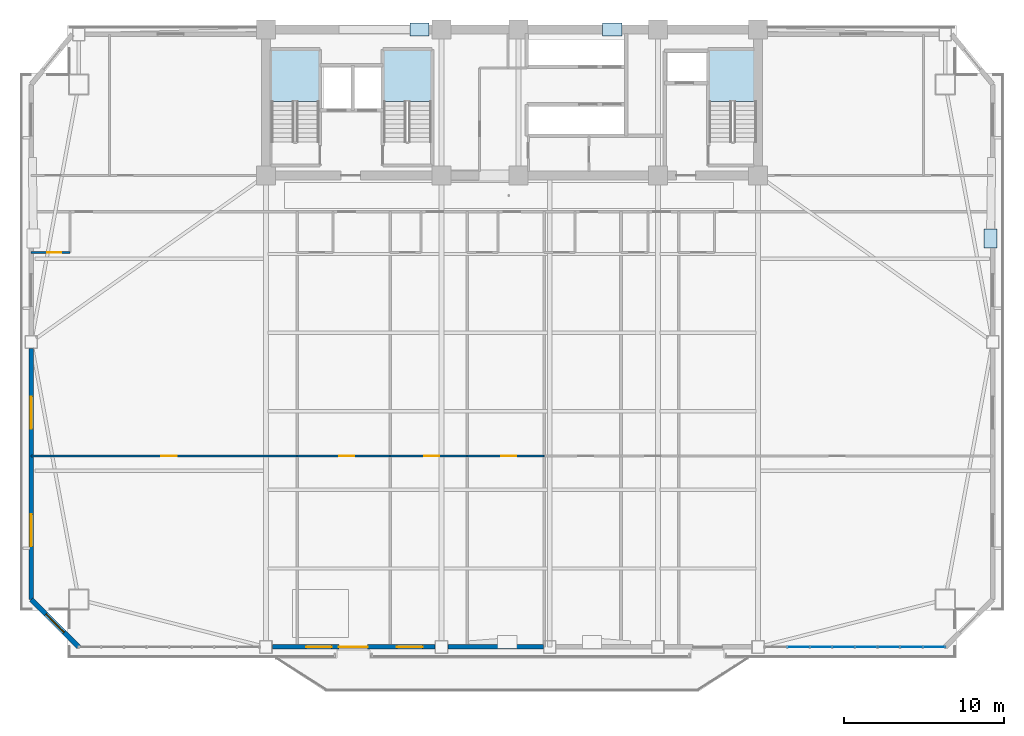
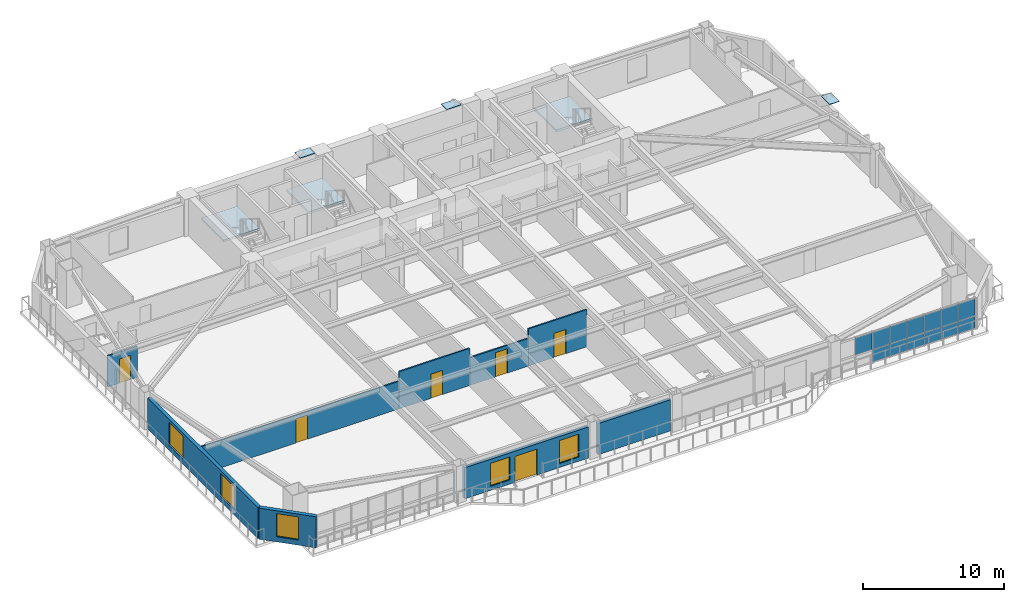
# One storey, part 7 of 17: 16 plates, 9 walls, 6 doors, 5 windows, 3 slabs, 11 openings, 4 elements without a shape of their own.
"""IFC4 building model written with IfcOpenShell, lengths in metres."""

from ifc_helpers import new_model, si_unit, direction, frame, frame_2d, origin, origin_2d, place, context, subcontext, project, spatial, polyline, rectangle, outline, extrude, source, transform, mapped, material, layer, layer_set, type_object, element, fill, aggregate, save


model = new_model("IFC4")

# Units and contexts
model_context = context("Model", 3, precision=1e-05, world=origin(), true_north=direction((0.0, 1.0)))
body_context = subcontext(model_context, "Body", "Model", "MODEL_VIEW")
ifc_project = project(units=[si_unit("LENGTHUNIT", "METRE"), si_unit("AREAUNIT", "SQUARE_METRE"), si_unit("VOLUMEUNIT", "CUBIC_METRE"), si_unit("PLANEANGLEUNIT", "RADIAN"), si_unit("MASSUNIT", "GRAM", prefix="KILO")], contexts=[model_context])

# Site, building, storey
site_placement = place(None, origin())
site = spatial("IfcSite", under=ifc_project, at=site_placement, CompositionType="ELEMENT")
building_placement = place(site_placement, origin())
building = spatial("IfcBuilding", under=site, at=building_placement, Name="Giltprow Tower", CompositionType="ELEMENT")
storey_placement = place(building_placement, frame((0.0, 0.0, 141.199951171875)))
storey = spatial("IfcBuildingStorey", under=building, at=storey_placement, Name="L34", CompositionType="ELEMENT", Elevation=141.199951171875)

# Stair, slab
ifc_material_1 = material(Name="Concrete C40", Category="concrete")
stair_type_1 = type_object("IfcStairType", Name="STR-ST-1", PredefinedType="HALF_TURN_STAIR", material=ifc_material_1)
stair_1_placement = place(storey_placement, origin())
stair_1 = element("IfcStair", 1, at=stair_1_placement, inside=storey, type_object=stair_type_1, Name="L34 Core Exit Stair ST-1", PredefinedType="HALF_TURN_STAIR")
ifc_layer_1 = layer(ifc_material_1, 0.179931640625, Name="Concrete C40")
ifc_layer_set_1 = layer_set([ifc_layer_1], Name="Concrete C40")
slab_type_1 = type_object("IfcSlabType", Name="SLD-ST-1", PredefinedType="LANDING", material=ifc_layer_set_1)
slab_1_placement = place(storey_placement, frame((0.0, 0.0, 1.570068359375)))
slab_1 = element("IfcSlab", 2, at=slab_1_placement, type_object=slab_type_1, Name="ST-1 landing 1", PredefinedType="LANDING", context=body_context, shape_type="SweptSolid", body=[
    extrude(outline(polyline([(23.159912109375, 42.070068359375), (23.159912109375, 45.25), (20.199951171875, 45.25), (20.199951171875, 42.070068359375), (23.159912109375, 42.070068359375)])), origin(), (0.0, 0.0, 1.0), 0.179931640625),
])
aggregate(stair_1, [slab_1])

stair_type_2 = type_object("IfcStairType", Name="STR-ST-2", PredefinedType="HALF_TURN_STAIR", material=ifc_material_1)
stair_2_placement = place(storey_placement, origin())
stair_2 = element("IfcStair", 3, at=stair_2_placement, inside=storey, type_object=stair_type_2, Name="L34 Core Exit Stair ST-2", PredefinedType="HALF_TURN_STAIR")
ifc_layer_2 = layer(ifc_material_1, 0.18798828125, Name="Concrete C40")
ifc_layer_set_2 = layer_set([ifc_layer_2], Name="Concrete C40")
slab_type_2 = type_object("IfcSlabType", Name="SLD-ST-2", PredefinedType="LANDING", material=ifc_layer_set_2)
slab_2_placement = place(storey_placement, frame((0.0, 0.0, 1.56201171875)))
slab_2 = element("IfcSlab", 4, at=slab_2_placement, type_object=slab_type_2, Name="ST-2 landing 1", PredefinedType="LANDING", context=body_context, shape_type="SweptSolid", body=[
    extrude(outline(polyline([(30.159912109375, 42.070068359375), (30.159912109375, 45.25), (27.199951171875, 45.25), (27.199951171875, 42.070068359375), (30.159912109375, 42.070068359375)])), origin(), (0.0, 0.0, 1.0), 0.18798828125),
])
aggregate(stair_2, [slab_2])

stair_type_3 = type_object("IfcStairType", Name="STR-ST-3", PredefinedType="HALF_TURN_STAIR", material=ifc_material_1)
stair_3_placement = place(storey_placement, origin())
stair_3 = element("IfcStair", 5, at=stair_3_placement, inside=storey, type_object=stair_type_3, Name="L34 Core Exit Stair ST-3", PredefinedType="HALF_TURN_STAIR")
ifc_layer_3 = layer(ifc_material_1, 0.196044921875, Name="Concrete C40")
ifc_layer_set_3 = layer_set([ifc_layer_3], Name="Concrete C40")
slab_type_3 = type_object("IfcSlabType", Name="SLD-ST-3", PredefinedType="LANDING", material=ifc_layer_set_3)
slab_3_placement = place(storey_placement, frame((0.0, 0.0, 1.553955078125)))
slab_3 = element("IfcSlab", 6, at=slab_3_placement, type_object=slab_type_3, Name="ST-3 landing 1", PredefinedType="LANDING", context=body_context, shape_type="SweptSolid", body=[
    extrude(outline(polyline([(50.4599609375, 42.070068359375), (50.4599609375, 45.25), (47.5, 45.25), (47.5, 42.070068359375), (50.4599609375, 42.070068359375)])), origin(), (0.0, 0.0, 1.0), 0.196044921875),
])
aggregate(stair_3, [slab_3])

# Plates
ifc_material_2 = material(Name="Structural steel Q420GJC", Category="steel")
plate_type_1 = type_object("IfcPlateType", Name="PLT-CAP-SEAL", PredefinedType="USERDEFINED", material=ifc_material_2)
shared_shape_1 = source(origin(), body_context, "Body", "SweptSolid", [
    extrude(rectangle(XDim=1.199951171875, YDim=0.800048828125, at=origin_2d()), origin(), (0.0, 0.0, 1.0), 0.034912109375),
])
for number, where, z_axis, x_axis, name in (
    (7, (29.43701171875, 46.550048828125, 3.3427734375), (0.0, 0.0, 1.0), (1.0, 0.0, 0.0), "Mega-Brace Node L34-N-LB"),
    (8, (41.449951171875, 46.550048828125, 3.3427734375), (0.0, 0.0, 1.0), (1.0, 0.0, 0.0), "Mega-Brace Node L34-N-RB"),
    (9, (65.04296875, 33.51806640625, 3.482421875), (0.0, 0.0, 1.0), (0.0, 1.0, 0.0), "Mega-Brace Node L34-E-RB"),
):
    element("IfcPlate", number, at=place(storey_placement, frame(where, z_axis=z_axis, x_axis=x_axis)), inside=storey, type_object=plate_type_1, Name=name, ObjectType="SPLICE", PredefinedType="USERDEFINED", context=body_context, shape_type="MappedRepresentation", body=[
        mapped(shared_shape_1, transform((0.0, 0.0, 0.0), x_axis=(1.0, 0.0, 0.0), y_axis=(0.0, 1.0, 0.0), z_axis=(0.0, 0.0, 1.0), scale=1.0)),
    ])

# Curtain wall, plates
ifc_material_3 = material(Name="Anodized bronze", Category="metal")
ifc_layer_4 = layer(ifc_material_3, 0.179931640625, Name="Anodized bronze")
ifc_layer_set_4 = layer_set([ifc_layer_4], Name="Anodized bronze")
curtain_wall_type = type_object("IfcCurtainWallType", Name="CW-HTL-BRONZE", PredefinedType="NOTDEFINED", material=ifc_layer_set_4)
curtain_wall_placement = place(storey_placement, origin())
curtain_wall = element("IfcCurtainWall", 10, at=curtain_wall_placement, inside=storey, type_object=curtain_wall_type, Name="L34 South Recessed Curtain Wall 6", PredefinedType="NOTDEFINED")
ifc_material_4 = material(Name="Insulated glass", Category="glass")
plate_type_2 = type_object("IfcPlateType", Name="CW-PANEL-IGU-28", PredefinedType="CURTAIN_PANEL", material=ifc_material_4)
shared_shape_2 = source(origin(), body_context, "Body", "SweptSolid", [
    extrude(rectangle(XDim=1.37890625, YDim=0.028076171875, at=origin_2d()), origin(), (0.0, 0.0, 1.0), 1.06591796875),
])
plate_1_placement = place(storey_placement, frame((54.471923828125, 8.044921875, 0.05419921875), z_axis=(0.0, 0.0, 1.0), x_axis=(1.0, 0.0, 0.0)))
plate_1 = element("IfcPlate", 11, at=plate_1_placement, type_object=plate_type_2, Name="L34 South Recessed Curtain Wall 6 Glazing Panel 3-1", PredefinedType="CURTAIN_PANEL", context=body_context, shape_type="MappedRepresentation", body=[
    mapped(shared_shape_2, transform((0.0, 0.0, 0.0), x_axis=(1.0, 0.0, 0.0), y_axis=(0.0, 1.0, 0.0), z_axis=(0.0, 0.0, 1.0), scale=1.0)),
])
plate_2_placement = place(storey_placement, frame((55.881103515625, 8.044921875, 0.05419921875), z_axis=(0.0, 0.0, 1.0), x_axis=(1.0, 0.0, 0.0)))
plate_2 = element("IfcPlate", 12, at=plate_2_placement, type_object=plate_type_2, Name="L34 South Recessed Curtain Wall 6 Glazing Panel 4-1", PredefinedType="CURTAIN_PANEL", context=body_context, shape_type="MappedRepresentation", body=[
    mapped(shared_shape_2, transform((0.0, 0.0, 0.0), x_axis=(1.0, 0.0, 0.0), y_axis=(0.0, 1.0, 0.0), z_axis=(0.0, 0.0, 1.0), scale=1.0)),
])
plate_3_placement = place(storey_placement, frame((57.2900390625, 8.044921875, 0.05419921875), z_axis=(0.0, 0.0, 1.0), x_axis=(1.0, 0.0, 0.0)))
plate_3 = element("IfcPlate", 13, at=plate_3_placement, type_object=plate_type_2, Name="L34 South Recessed Curtain Wall 6 Glazing Panel 5-1", PredefinedType="CURTAIN_PANEL", context=body_context, shape_type="MappedRepresentation", body=[
    mapped(shared_shape_2, transform((0.0, 0.0, 0.0), x_axis=(1.0, 0.0, 0.0), y_axis=(0.0, 1.0, 0.0), z_axis=(0.0, 0.0, 1.0), scale=1.0)),
])
plate_4_placement = place(storey_placement, frame((58.698974609375, 8.044921875, 0.05419921875), z_axis=(0.0, 0.0, 1.0), x_axis=(1.0, 0.0, 0.0)))
plate_4 = element("IfcPlate", 14, at=plate_4_placement, type_object=plate_type_2, Name="L34 South Recessed Curtain Wall 6 Glazing Panel 6-1", PredefinedType="CURTAIN_PANEL", context=body_context, shape_type="MappedRepresentation", body=[
    mapped(shared_shape_2, transform((0.0, 0.0, 0.0), x_axis=(1.0, 0.0, 0.0), y_axis=(0.0, 1.0, 0.0), z_axis=(0.0, 0.0, 1.0), scale=1.0)),
])
plate_5_placement = place(storey_placement, frame((60.10791015625, 8.044921875, 0.05419921875), z_axis=(0.0, 0.0, 1.0), x_axis=(1.0, 0.0, 0.0)))
plate_5 = element("IfcPlate", 15, at=plate_5_placement, type_object=plate_type_2, Name="L34 South Recessed Curtain Wall 6 Glazing Panel 7-1", PredefinedType="CURTAIN_PANEL", context=body_context, shape_type="MappedRepresentation", body=[
    mapped(shared_shape_2, transform((0.0, 0.0, 0.0), x_axis=(1.0, 0.0, 0.0), y_axis=(0.0, 1.0, 0.0), z_axis=(0.0, 0.0, 1.0), scale=1.0)),
])
plate_6_placement = place(storey_placement, frame((61.51708984375, 8.044921875, 0.05419921875), z_axis=(0.0, 0.0, 1.0), x_axis=(1.0, 0.0, 0.0)))
plate_6 = element("IfcPlate", 16, at=plate_6_placement, type_object=plate_type_2, Name="L34 South Recessed Curtain Wall 6 Glazing Panel 8-1", PredefinedType="CURTAIN_PANEL", context=body_context, shape_type="MappedRepresentation", body=[
    mapped(shared_shape_2, transform((0.0, 0.0, 0.0), x_axis=(1.0, 0.0, 0.0), y_axis=(0.0, 1.0, 0.0), z_axis=(0.0, 0.0, 1.0), scale=1.0)),
])
shared_shape_3 = source(origin(), body_context, "Body", "SweptSolid", [
    extrude(rectangle(XDim=1.37890625, YDim=0.028076171875, at=origin_2d()), origin(), (0.0, 0.0, 1.0), 1.498046875),
])
plate_7_placement = place(storey_placement, frame((53.06298828125, 8.044921875, 1.14794921875), z_axis=(0.0, 0.0, 1.0), x_axis=(1.0, 0.0, 0.0)))
plate_7 = element("IfcPlate", 17, at=plate_7_placement, type_object=plate_type_2, Name="L34 South Recessed Curtain Wall 6 Glazing Panel 2-2", PredefinedType="CURTAIN_PANEL", context=body_context, shape_type="MappedRepresentation", body=[
    mapped(shared_shape_3, transform((0.0, 0.0, 0.0), x_axis=(1.0, 0.0, 0.0), y_axis=(0.0, 1.0, 0.0), z_axis=(0.0, 0.0, 1.0), scale=1.0)),
])
plate_8_placement = place(storey_placement, frame((54.471923828125, 8.044921875, 1.14794921875), z_axis=(0.0, 0.0, 1.0), x_axis=(1.0, 0.0, 0.0)))
plate_8 = element("IfcPlate", 18, at=plate_8_placement, type_object=plate_type_2, Name="L34 South Recessed Curtain Wall 6 Glazing Panel 3-2", PredefinedType="CURTAIN_PANEL", context=body_context, shape_type="MappedRepresentation", body=[
    mapped(shared_shape_3, transform((0.0, 0.0, 0.0), x_axis=(1.0, 0.0, 0.0), y_axis=(0.0, 1.0, 0.0), z_axis=(0.0, 0.0, 1.0), scale=1.0)),
])
plate_9_placement = place(storey_placement, frame((55.881103515625, 8.044921875, 1.14794921875), z_axis=(0.0, 0.0, 1.0), x_axis=(1.0, 0.0, 0.0)))
plate_9 = element("IfcPlate", 19, at=plate_9_placement, type_object=plate_type_2, Name="L34 South Recessed Curtain Wall 6 Glazing Panel 4-2", PredefinedType="CURTAIN_PANEL", context=body_context, shape_type="MappedRepresentation", body=[
    mapped(shared_shape_3, transform((0.0, 0.0, 0.0), x_axis=(1.0, 0.0, 0.0), y_axis=(0.0, 1.0, 0.0), z_axis=(0.0, 0.0, 1.0), scale=1.0)),
])
plate_10_placement = place(storey_placement, frame((57.2900390625, 8.044921875, 1.14794921875), z_axis=(0.0, 0.0, 1.0), x_axis=(1.0, 0.0, 0.0)))
plate_10 = element("IfcPlate", 20, at=plate_10_placement, type_object=plate_type_2, Name="L34 South Recessed Curtain Wall 6 Glazing Panel 5-2", PredefinedType="CURTAIN_PANEL", context=body_context, shape_type="MappedRepresentation", body=[
    mapped(shared_shape_3, transform((0.0, 0.0, 0.0), x_axis=(1.0, 0.0, 0.0), y_axis=(0.0, 1.0, 0.0), z_axis=(0.0, 0.0, 1.0), scale=1.0)),
])
plate_11_placement = place(storey_placement, frame((58.698974609375, 8.044921875, 1.14794921875), z_axis=(0.0, 0.0, 1.0), x_axis=(1.0, 0.0, 0.0)))
plate_11 = element("IfcPlate", 21, at=plate_11_placement, type_object=plate_type_2, Name="L34 South Recessed Curtain Wall 6 Glazing Panel 6-2", PredefinedType="CURTAIN_PANEL", context=body_context, shape_type="MappedRepresentation", body=[
    mapped(shared_shape_3, transform((0.0, 0.0, 0.0), x_axis=(1.0, 0.0, 0.0), y_axis=(0.0, 1.0, 0.0), z_axis=(0.0, 0.0, 1.0), scale=1.0)),
])
plate_12_placement = place(storey_placement, frame((60.10791015625, 8.044921875, 1.14794921875), z_axis=(0.0, 0.0, 1.0), x_axis=(1.0, 0.0, 0.0)))
plate_12 = element("IfcPlate", 22, at=plate_12_placement, type_object=plate_type_2, Name="L34 South Recessed Curtain Wall 6 Glazing Panel 7-2", PredefinedType="CURTAIN_PANEL", context=body_context, shape_type="MappedRepresentation", body=[
    mapped(shared_shape_3, transform((0.0, 0.0, 0.0), x_axis=(1.0, 0.0, 0.0), y_axis=(0.0, 1.0, 0.0), z_axis=(0.0, 0.0, 1.0), scale=1.0)),
])
plate_13_placement = place(storey_placement, frame((61.51708984375, 8.044921875, 1.14794921875), z_axis=(0.0, 0.0, 1.0), x_axis=(1.0, 0.0, 0.0)))
plate_13 = element("IfcPlate", 23, at=plate_13_placement, type_object=plate_type_2, Name="L34 South Recessed Curtain Wall 6 Glazing Panel 8-2", PredefinedType="CURTAIN_PANEL", context=body_context, shape_type="MappedRepresentation", body=[
    mapped(shared_shape_3, transform((0.0, 0.0, 0.0), x_axis=(1.0, 0.0, 0.0), y_axis=(0.0, 1.0, 0.0), z_axis=(0.0, 0.0, 1.0), scale=1.0)),
])
aggregate(curtain_wall, [plate_7, plate_1, plate_8, plate_2, plate_9, plate_3, plate_10, plate_4, plate_11, plate_5, plate_12, plate_6, plate_13])

# Wall, opening, window
ifc_material_5 = material(Name="Precast concrete C40", Category="concrete")
ifc_layer_5 = layer(ifc_material_5, 0.300048828125, Name="Precast concrete C40")
ifc_layer_set_5 = layer_set([ifc_layer_5], Name="Precast concrete C40")
wall_type_1 = type_object("IfcWallType", Name="EW-NOTCH-CHAMFER-300", PredefinedType="SOLIDWALL", material=ifc_layer_set_5)
wall_1_placement = place(storey_placement, frame((5.214111328125, 11.010009765625, 0.0), z_axis=(0.0, 0.0, 1.0), x_axis=(0.707077668364, -0.70713589281, 0.0)))
wall_1 = element("IfcWall", 24, at=wall_1_placement, inside=storey, type_object=wall_type_1, Name="L34 Corner Notch Wall SW", PredefinedType="SOLIDWALL", context=body_context, shape_type="SweptSolid", body=[
    extrude(rectangle(XDim=4.193115234375, YDim=0.300048828125, at=frame_2d((2.0966796875, 0.0))), origin(), (0.0, 0.0, 1.0), 2.699951171875),
])
opening_1_placement = place(wall_1_placement, frame((1.297119140625, 0.0, 0.449951171875)))
opening_1 = element("IfcOpeningElement", 25, at=opening_1_placement, cuts=wall_1, Name="Opening WN17", PredefinedType="OPENING", context=body_context, shape_type="SweptSolid", body=[
    extrude(rectangle(XDim=1.60009765625, YDim=2.0, at=frame_2d((0.800048828125, 1.0))), frame((0.0, 0.159912109375, 0.0), z_axis=(0.0, -1.0, 0.0), x_axis=(1.0, 0.0, 0.0)), (0.0, 0.0, 1.0), 0.320068359375),
])
window_type_1 = type_object("IfcWindowType", Name="WN-COR-1600x2000", PartitioningType="SINGLE_PANEL", PredefinedType="WINDOW", material=ifc_material_4)
shared_shape_4 = source(origin(), body_context, "Body", "SweptSolid", [
    extrude(rectangle(XDim=1.60009765625, YDim=2.0, at=frame_2d((0.800048828125, 1.0))), frame((0.0, 0.030029296875, 0.0), z_axis=(0.0, -1.0, 0.0), x_axis=(1.0, 0.0, 0.0)), (0.0, 0.0, 1.0), 0.06005859375),
])
window_1_placement = place(opening_1_placement, origin())
window_1 = element("IfcWindow", 26, at=window_1_placement, inside=storey, type_object=window_type_1, Name="L34 Corner Notch Window SW", OverallHeight=2.0, OverallWidth=1.60009765625, PartitioningType="SINGLE_PANEL", PredefinedType="WINDOW", context=body_context, shape_type="MappedRepresentation", body=[
    mapped(shared_shape_4, transform((0.0, 0.0, 0.0), x_axis=(1.0, 0.0, 0.0), y_axis=(0.0, 1.0, 0.0), z_axis=(0.0, 0.0, 1.0), scale=1.0)),
])
fill(opening_1, window_1)

# Wall, openings, windows, door
ifc_layer_6 = layer(ifc_material_5, 0.280029296875, Name="Precast concrete C40")
ifc_layer_set_6 = layer_set([ifc_layer_6], Name="Precast concrete C40")
wall_type_2 = type_object("IfcWallType", Name="EW-TOW-BRONZE-280", PredefinedType="SOLIDWALL", material=ifc_layer_set_6)
wall_2_placement = place(storey_placement, frame((20.25, 8.044921875, 0.0), z_axis=(0.0, 0.0, 1.0), x_axis=(1.0, 0.0, 0.0)))
wall_2 = element("IfcWall", 27, at=wall_2_placement, inside=storey, type_object=wall_type_2, Name="L34 South Expressed Frame Wall 2", PredefinedType="SOLIDWALL", context=body_context, shape_type="SweptSolid", body=[
    extrude(rectangle(XDim=10.14990234375, YDim=0.280029296875, at=frame_2d((5.074951171875, 0.0))), origin(), (0.0, 0.0, 1.0), 2.699951171875),
])
opening_2_placement = place(wall_2_placement, frame((4.14990234375, 0.0, 0.0)))
opening_2 = element("IfcOpeningElement", 28, at=opening_2_placement, cuts=wall_2, Name="Opening ED25", PredefinedType="OPENING", context=body_context, shape_type="SweptSolid", body=[
    extrude(rectangle(XDim=1.800048828125, YDim=2.25, at=frame_2d((0.89990234375, 1.125))), frame((0.0, 0.14990234375, 0.0), z_axis=(0.0, -1.0, 0.0), x_axis=(1.0, 0.0, 0.0)), (0.0, 0.0, 1.0), 0.300048828125),
])
opening_3_placement = place(wall_2_placement, frame((2.10498046875, 0.0, 0.35009765625)))
opening_3 = element("IfcOpeningElement", 29, at=opening_3_placement, cuts=wall_2, Name="Opening WN17", PredefinedType="OPENING", context=body_context, shape_type="SweptSolid", body=[
    extrude(rectangle(XDim=1.60009765625, YDim=2.0, at=frame_2d((0.800048828125, 1.0))), frame((0.0, 0.14990234375, 0.0), z_axis=(0.0, -1.0, 0.0), x_axis=(1.0, 0.0, 0.0)), (0.0, 0.0, 1.0), 0.300048828125),
])
opening_4_placement = place(wall_2_placement, frame((7.77001953125, 0.0, 0.35009765625)))
opening_4 = element("IfcOpeningElement", 30, at=opening_4_placement, cuts=wall_2, Name="Opening WN17", PredefinedType="OPENING", context=body_context, shape_type="SweptSolid", body=[
    extrude(rectangle(XDim=1.60009765625, YDim=2.0, at=frame_2d((0.800048828125, 1.0))), frame((0.0, 0.14990234375, 0.0), z_axis=(0.0, -1.0, 0.0), x_axis=(1.0, 0.0, 0.0)), (0.0, 0.0, 1.0), 0.300048828125),
])
window_2_placement = place(opening_3_placement, origin())
window_2 = element("IfcWindow", 31, at=window_2_placement, inside=storey, type_object=window_type_1, Name="L34 South Window 2A", OverallHeight=2.0, OverallWidth=1.60009765625, PartitioningType="SINGLE_PANEL", PredefinedType="WINDOW", context=body_context, shape_type="MappedRepresentation", body=[
    mapped(shared_shape_4, transform((0.0, 0.0, 0.0), x_axis=(1.0, 0.0, 0.0), y_axis=(0.0, 1.0, 0.0), z_axis=(0.0, 0.0, 1.0), scale=1.0)),
])
fill(opening_3, window_2)
window_3_placement = place(opening_4_placement, origin())
window_3 = element("IfcWindow", 32, at=window_3_placement, inside=storey, type_object=window_type_1, Name="L34 South Window 2B", OverallHeight=2.0, OverallWidth=1.60009765625, PartitioningType="SINGLE_PANEL", PredefinedType="WINDOW", context=body_context, shape_type="MappedRepresentation", body=[
    mapped(shared_shape_4, transform((0.0, 0.0, 0.0), x_axis=(1.0, 0.0, 0.0), y_axis=(0.0, 1.0, 0.0), z_axis=(0.0, 0.0, 1.0), scale=1.0)),
])
fill(opening_4, window_3)
ifc_material_6 = material(Name="Anodized bronze and glass", Category="glass")
door_type_1 = type_object("IfcDoorType", Name="DR-BALC-SLIDE-1800", OperationType="SLIDING_TO_LEFT", PredefinedType="DOOR", material=ifc_material_6)
shared_shape_5 = source(origin(), body_context, "Body", "SweptSolid", [
    extrude(rectangle(XDim=1.800048828125, YDim=2.25, at=frame_2d((0.89990234375, 1.125))), frame((0.0, 0.02490234375, 0.0), z_axis=(0.0, -1.0, 0.0), x_axis=(1.0, 0.0, 0.0)), (0.0, 0.0, 1.0), 0.050048828125),
])
door_1_placement = place(opening_2_placement, origin())
door_1 = element("IfcDoor", 33, at=door_1_placement, inside=storey, type_object=door_type_1, Name="L34 Waterfront Balcony Sliding Door 1", OperationType="SLIDING_TO_LEFT", OverallHeight=2.25, OverallWidth=1.800048828125, PredefinedType="DOOR", context=body_context, shape_type="MappedRepresentation", body=[
    mapped(shared_shape_5, transform((0.0, 0.0, 0.0), x_axis=(1.0, 0.0, 0.0), y_axis=(0.0, 1.0, 0.0), z_axis=(0.0, 0.0, 1.0), scale=1.0)),
])
fill(opening_2, door_1)

# Wall
wall_3_placement = place(storey_placement, frame((31.199951171875, 8.044921875, 0.0), z_axis=(0.0, 0.0, 1.0), x_axis=(1.0, 0.0, 0.0)))
element("IfcWall", 34, at=wall_3_placement, inside=storey, type_object=wall_type_2, Name="L34 South Expressed Frame Wall 3", PredefinedType="SOLIDWALL", context=body_context, shape_type="SweptSolid", body=[
    extrude(rectangle(XDim=5.949951171875, YDim=0.280029296875, at=frame_2d((2.97509765625, 0.0))), origin(), (0.0, 0.0, 1.0), 2.699951171875),
])

# Wall, openings, windows
wall_4_placement = place(storey_placement, frame((5.214111328125, 11.010009765625, 0.0), z_axis=(0.0, 0.0, 1.0), x_axis=(0.0, 1.0, 0.0)))
wall_4 = element("IfcWall", 35, at=wall_4_placement, inside=storey, type_object=wall_type_2, Name="L34 W Wing Masonry Wall 1", PredefinedType="SOLIDWALL", context=body_context, shape_type="SweptSolid", body=[
    extrude(rectangle(XDim=15.662109375, YDim=0.280029296875, at=frame_2d((7.8310546875, 0.0))), origin(), (0.0, 0.0, 1.0), 2.699951171875),
])
opening_5_placement = place(wall_4_placement, frame((3.31201171875, 0.0, 0.449951171875)))
opening_5 = element("IfcOpeningElement", 36, at=opening_5_placement, cuts=wall_4, Name="Opening WN21", PredefinedType="OPENING", context=body_context, shape_type="SweptSolid", body=[
    extrude(rectangle(XDim=2.0, YDim=2.0, at=frame_2d((1.0, 1.0))), frame((0.0, 0.14990234375, 0.0), z_axis=(0.0, -1.0, 0.0), x_axis=(1.0, 0.0, 0.0)), (0.0, 0.0, 1.0), 0.300048828125),
])
opening_6_placement = place(wall_4_placement, frame((10.64306640625, 0.0, 0.449951171875)))
opening_6 = element("IfcOpeningElement", 37, at=opening_6_placement, cuts=wall_4, Name="Opening WN21", PredefinedType="OPENING", context=body_context, shape_type="SweptSolid", body=[
    extrude(rectangle(XDim=2.0, YDim=2.0, at=frame_2d((1.0, 1.0))), frame((0.0, 0.14990234375, 0.0), z_axis=(0.0, -1.0, 0.0), x_axis=(1.0, 0.0, 0.0)), (0.0, 0.0, 1.0), 0.300048828125),
])
window_type_2 = type_object("IfcWindowType", Name="WN-HTL-2000x2000", PartitioningType="DOUBLE_PANEL_VERTICAL", PredefinedType="WINDOW", material=ifc_material_4)
shared_shape_6 = source(origin(), body_context, "Body", "SweptSolid", [
    extrude(rectangle(XDim=2.0, YDim=2.0, at=frame_2d((1.0, 1.0))), frame((0.0, 0.030029296875, 0.0), z_axis=(0.0, -1.0, 0.0), x_axis=(1.0, 0.0, 0.0)), (0.0, 0.0, 1.0), 0.06005859375),
])
window_4_placement = place(opening_5_placement, origin())
window_4 = element("IfcWindow", 38, at=window_4_placement, inside=storey, type_object=window_type_2, Name="L34 W Wing Window 1-1A", OverallHeight=2.0, OverallWidth=2.0, PartitioningType="SINGLE_PANEL", PredefinedType="WINDOW", context=body_context, shape_type="MappedRepresentation", body=[
    mapped(shared_shape_6, transform((0.0, 0.0, 0.0), x_axis=(1.0, 0.0, 0.0), y_axis=(0.0, 1.0, 0.0), z_axis=(0.0, 0.0, 1.0), scale=1.0)),
])
fill(opening_5, window_4)
window_5_placement = place(opening_6_placement, origin())
window_5 = element("IfcWindow", 39, at=window_5_placement, inside=storey, type_object=window_type_2, Name="L34 W Wing Window 1-1B", OverallHeight=2.0, OverallWidth=2.0, PartitioningType="SINGLE_PANEL", PredefinedType="WINDOW", context=body_context, shape_type="MappedRepresentation", body=[
    mapped(shared_shape_6, transform((0.0, 0.0, 0.0), x_axis=(1.0, 0.0, 0.0), y_axis=(0.0, 1.0, 0.0), z_axis=(0.0, 0.0, 1.0), scale=1.0)),
])
fill(opening_6, window_5)

# Wall, opening, door
ifc_material_7 = material(Name="Gypsum stud partition", Category="gypsum")
ifc_layer_7 = layer(ifc_material_7, 0.1201171875, Name="Gypsum stud partition")
ifc_layer_set_7 = layer_set([ifc_layer_7], Name="Gypsum stud partition")
wall_type_3 = type_object("IfcWallType", Name="IW-ROOM-120", PredefinedType="PARTITIONING", material=ifc_layer_set_7)
wall_5_placement = place(storey_placement, frame((5.214111328125, 19.958984375, 0.0), z_axis=(0.0, 0.0, 1.0), x_axis=(1.0, 0.0, 0.0)))
wall_5 = element("IfcWall", 40, at=wall_5_placement, inside=storey, type_object=wall_type_3, Name="L34 Suite Parlour Divider 1", PredefinedType="PARTITIONING", context=body_context, shape_type="SweptSolid", body=[
    extrude(rectangle(XDim=16.5859375, YDim=0.1201171875, at=frame_2d((8.29296875, 0.0))), origin(), (0.0, 0.0, 1.0), 2.405029296875),
])
opening_7_placement = place(wall_5_placement, frame((8.117919921875, 0.0, 0.0)))
opening_7 = element("IfcOpeningElement", 41, at=opening_7_placement, cuts=wall_5, Name="Opening ID11", PredefinedType="OPENING", context=body_context, shape_type="SweptSolid", body=[
    extrude(rectangle(XDim=0.949951171875, YDim=2.10009765625, at=frame_2d((0.47509765625, 1.050048828125))), frame((0.0, 0.070068359375, 0.0), z_axis=(0.0, -1.0, 0.0), x_axis=(1.0, 0.0, 0.0)), (0.0, 0.0, 1.0), 0.14013671875),
])
ifc_material_8 = material(Name="Engineered timber", Category="wood")
door_type_2 = type_object("IfcDoorType", Name="DR-ROOM-950", OperationType="SINGLE_SWING_RIGHT", PredefinedType="DOOR", material=ifc_material_8)
shared_shape_7 = source(origin(), body_context, "Body", "SweptSolid", [
    extrude(rectangle(XDim=0.949951171875, YDim=2.10009765625, at=frame_2d((0.47509765625, 1.050048828125))), frame((0.0, 0.02490234375, 0.0), z_axis=(0.0, -1.0, 0.0), x_axis=(1.0, 0.0, 0.0)), (0.0, 0.0, 1.0), 0.050048828125),
])
door_2_placement = place(opening_7_placement, origin())
door_2 = element("IfcDoor", 42, at=door_2_placement, inside=storey, type_object=door_type_2, Name="L34 Harbour Parlour 1 Door", OperationType="SINGLE_SWING_LEFT", OverallHeight=2.10009765625, OverallWidth=0.949951171875, PredefinedType="DOOR", context=body_context, shape_type="MappedRepresentation", body=[
    mapped(shared_shape_7, transform((0.0, 0.0, 0.0), x_axis=(1.0, 0.0, 0.0), y_axis=(0.0, 1.0, 0.0), z_axis=(0.0, 0.0, 1.0), scale=1.0)),
])
fill(opening_7, door_2)

wall_6_placement = place(storey_placement, frame((21.800048828125, 19.958984375, 0.0), z_axis=(0.0, 0.0, 1.0), x_axis=(1.0, 0.0, 0.0)))
wall_6 = element("IfcWall", 43, at=wall_6_placement, inside=storey, type_object=wall_type_3, Name="L34 Suite Parlour Divider 2", PredefinedType="PARTITIONING", context=body_context, shape_type="SweptSolid", body=[
    extrude(rectangle(XDim=5.800048828125, YDim=0.1201171875, at=frame_2d((2.89990234375, 0.0))), origin(), (0.0, 0.0, 1.0), 3.219970703125),
])
opening_8_placement = place(wall_6_placement, frame((2.625, 0.0, 0.0)))
opening_8 = element("IfcOpeningElement", 44, at=opening_8_placement, cuts=wall_6, Name="Opening ID11", PredefinedType="OPENING", context=body_context, shape_type="SweptSolid", body=[
    extrude(rectangle(XDim=0.949951171875, YDim=2.10009765625, at=frame_2d((0.47509765625, 1.050048828125))), frame((0.0, 0.070068359375, 0.0), z_axis=(0.0, -1.0, 0.0), x_axis=(1.0, 0.0, 0.0)), (0.0, 0.0, 1.0), 0.14013671875),
])
door_3_placement = place(opening_8_placement, origin())
door_3 = element("IfcDoor", 45, at=door_3_placement, inside=storey, type_object=door_type_2, Name="L34 Harbour Parlour 2 Door", OperationType="SINGLE_SWING_RIGHT", OverallHeight=2.10009765625, OverallWidth=0.949951171875, PredefinedType="DOOR", context=body_context, shape_type="MappedRepresentation", body=[
    mapped(shared_shape_7, transform((0.0, 0.0, 0.0), x_axis=(1.0, 0.0, 0.0), y_axis=(0.0, 1.0, 0.0), z_axis=(0.0, 0.0, 1.0), scale=1.0)),
])
fill(opening_8, door_3)

wall_7_placement = place(storey_placement, frame((27.60009765625, 19.958984375, 0.0), z_axis=(0.0, 0.0, 1.0), x_axis=(1.0, 0.0, 0.0)))
wall_7 = element("IfcWall", 46, at=wall_7_placement, inside=storey, type_object=wall_type_3, Name="L34 Suite Parlour Divider 3", PredefinedType="PARTITIONING", context=body_context, shape_type="SweptSolid", body=[
    extrude(rectangle(XDim=4.7998046875, YDim=0.1201171875, at=frame_2d((2.39990234375, 0.0))), origin(), (0.0, 0.0, 1.0), 2.405029296875),
])
opening_9_placement = place(wall_7_placement, frame((2.125, 0.0, 0.0)))
opening_9 = element("IfcOpeningElement", 47, at=opening_9_placement, cuts=wall_7, Name="Opening ID11", PredefinedType="OPENING", context=body_context, shape_type="SweptSolid", body=[
    extrude(rectangle(XDim=0.949951171875, YDim=2.10009765625, at=frame_2d((0.47509765625, 1.050048828125))), frame((0.0, 0.070068359375, 0.0), z_axis=(0.0, -1.0, 0.0), x_axis=(1.0, 0.0, 0.0)), (0.0, 0.0, 1.0), 0.14013671875),
])
door_4_placement = place(opening_9_placement, origin())
door_4 = element("IfcDoor", 48, at=door_4_placement, inside=storey, type_object=door_type_2, Name="L34 Harbour Parlour 3 Door", OperationType="SINGLE_SWING_LEFT", OverallHeight=2.10009765625, OverallWidth=0.949951171875, PredefinedType="DOOR", context=body_context, shape_type="MappedRepresentation", body=[
    mapped(shared_shape_7, transform((0.0, 0.0, 0.0), x_axis=(1.0, 0.0, 0.0), y_axis=(0.0, 1.0, 0.0), z_axis=(0.0, 0.0, 1.0), scale=1.0)),
])
fill(opening_9, door_4)

wall_8_placement = place(storey_placement, frame((32.39990234375, 19.958984375, 0.0), z_axis=(0.0, 0.0, 1.0), x_axis=(1.0, 0.0, 0.0)))
wall_8 = element("IfcWall", 49, at=wall_8_placement, inside=storey, type_object=wall_type_3, Name="L34 Suite Parlour Divider 4", PredefinedType="PARTITIONING", context=body_context, shape_type="SweptSolid", body=[
    extrude(rectangle(XDim=4.800048828125, YDim=0.1201171875, at=frame_2d((2.39990234375, 0.0))), origin(), (0.0, 0.0, 1.0), 3.219970703125),
])
opening_10_placement = place(wall_8_placement, frame((2.125, 0.0, 0.0)))
opening_10 = element("IfcOpeningElement", 50, at=opening_10_placement, cuts=wall_8, Name="Opening ID11", PredefinedType="OPENING", context=body_context, shape_type="SweptSolid", body=[
    extrude(rectangle(XDim=0.949951171875, YDim=2.10009765625, at=frame_2d((0.47509765625, 1.050048828125))), frame((0.0, 0.070068359375, 0.0), z_axis=(0.0, -1.0, 0.0), x_axis=(1.0, 0.0, 0.0)), (0.0, 0.0, 1.0), 0.14013671875),
])
door_5_placement = place(opening_10_placement, origin())
door_5 = element("IfcDoor", 51, at=door_5_placement, inside=storey, type_object=door_type_2, Name="L34 Harbour Parlour 4 Door", OperationType="SINGLE_SWING_RIGHT", OverallHeight=2.10009765625, OverallWidth=0.949951171875, PredefinedType="DOOR", context=body_context, shape_type="MappedRepresentation", body=[
    mapped(shared_shape_7, transform((0.0, 0.0, 0.0), x_axis=(1.0, 0.0, 0.0), y_axis=(0.0, 1.0, 0.0), z_axis=(0.0, 0.0, 1.0), scale=1.0)),
])
fill(opening_10, door_5)

ifc_material_9 = material(Name="Concrete C30", Category="concrete")
ifc_layer_8 = layer(ifc_material_9, 0.1298828125, Name="Concrete C30")
ifc_layer_set_8 = layer_set([ifc_layer_8], Name="Concrete C30")
wall_type_4 = type_object("IfcWallType", Name="IW-WET-130", PredefinedType="PARTITIONING", material=ifc_layer_set_8)
wall_9_placement = place(storey_placement, frame((5.214111328125, 32.64990234375, 0.0), z_axis=(0.0, 0.0, 1.0), x_axis=(1.0, 0.0, 0.0)))
wall_9 = element("IfcWall", 52, at=wall_9_placement, inside=storey, type_object=wall_type_4, Name="L34 En-Suite South Wall 1", PredefinedType="PARTITIONING", context=body_context, shape_type="SweptSolid", body=[
    extrude(rectangle(XDim=2.429931640625, YDim=0.1298828125, at=frame_2d((1.21484375, 0.0))), origin(), (0.0, 0.0, 1.0), 2.705078125),
])
opening_11_placement = place(wall_9_placement, frame((0.985107421875, 0.0, 0.0)))
opening_11 = element("IfcOpeningElement", 53, at=opening_11_placement, cuts=wall_9, Name="Opening ID15", PredefinedType="OPENING", context=body_context, shape_type="SweptSolid", body=[
    extrude(rectangle(XDim=0.89990234375, YDim=2.10009765625, at=frame_2d((0.449951171875, 1.050048828125))), frame((0.0, 0.074951171875, 0.0), z_axis=(0.0, -1.0, 0.0), x_axis=(1.0, 0.0, 0.0)), (0.0, 0.0, 1.0), 0.14990234375),
])
door_type_3 = type_object("IfcDoorType", Name="DR-WC-900", OperationType="SINGLE_SWING_LEFT", PredefinedType="DOOR", material=ifc_material_8)
shared_shape_8 = source(origin(), body_context, "Body", "SweptSolid", [
    extrude(rectangle(XDim=0.89990234375, YDim=2.10009765625, at=frame_2d((0.449951171875, 1.050048828125))), frame((0.0, 0.02490234375, 0.0), z_axis=(0.0, -1.0, 0.0), x_axis=(1.0, 0.0, 0.0)), (0.0, 0.0, 1.0), 0.050048828125),
])
door_6_placement = place(opening_11_placement, origin())
door_6 = element("IfcDoor", 54, at=door_6_placement, inside=storey, type_object=door_type_3, Name="L34 En-Suite 1 Door", OperationType="SINGLE_SWING_RIGHT", OverallHeight=2.10009765625, OverallWidth=0.89990234375, PredefinedType="DOOR", context=body_context, shape_type="MappedRepresentation", body=[
    mapped(shared_shape_8, transform((0.0, 0.0, 0.0), x_axis=(1.0, 0.0, 0.0), y_axis=(0.0, 1.0, 0.0), z_axis=(0.0, 0.0, 1.0), scale=1.0)),
])
fill(opening_11, door_6)

save(model, "model.ifc")
